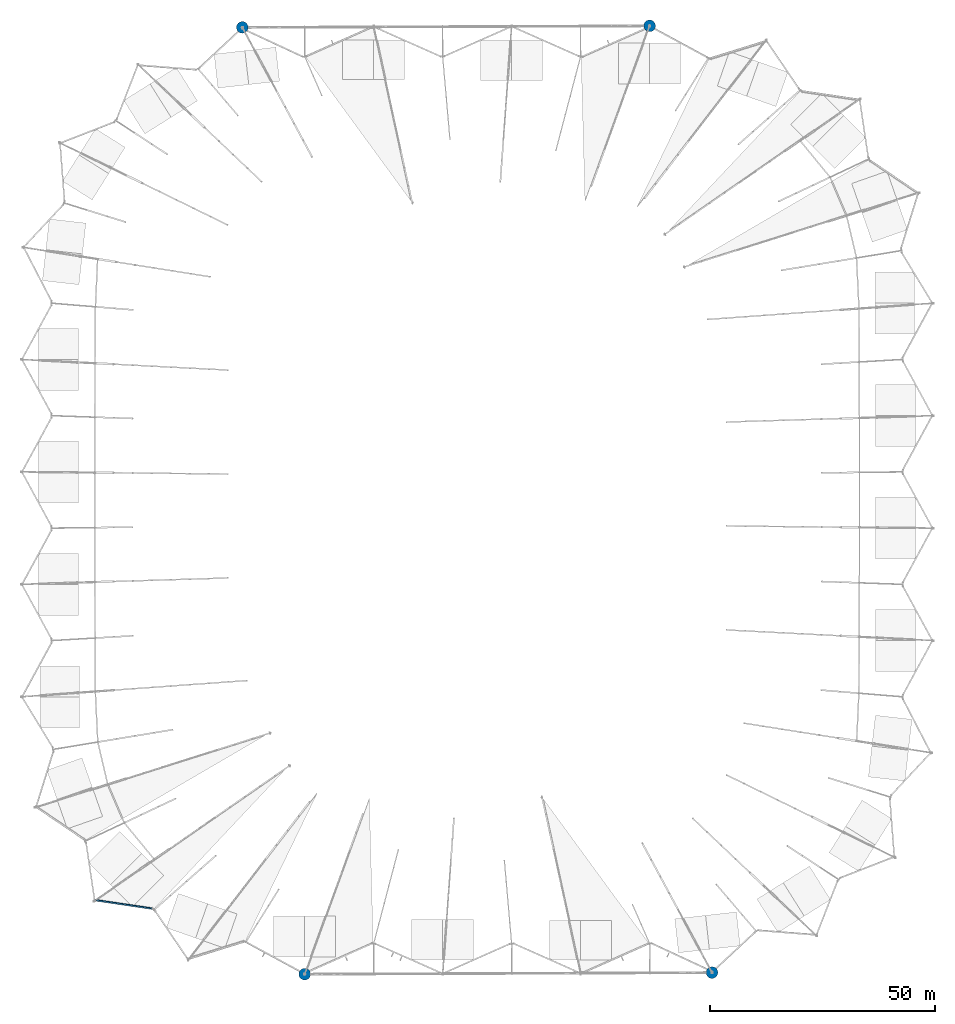
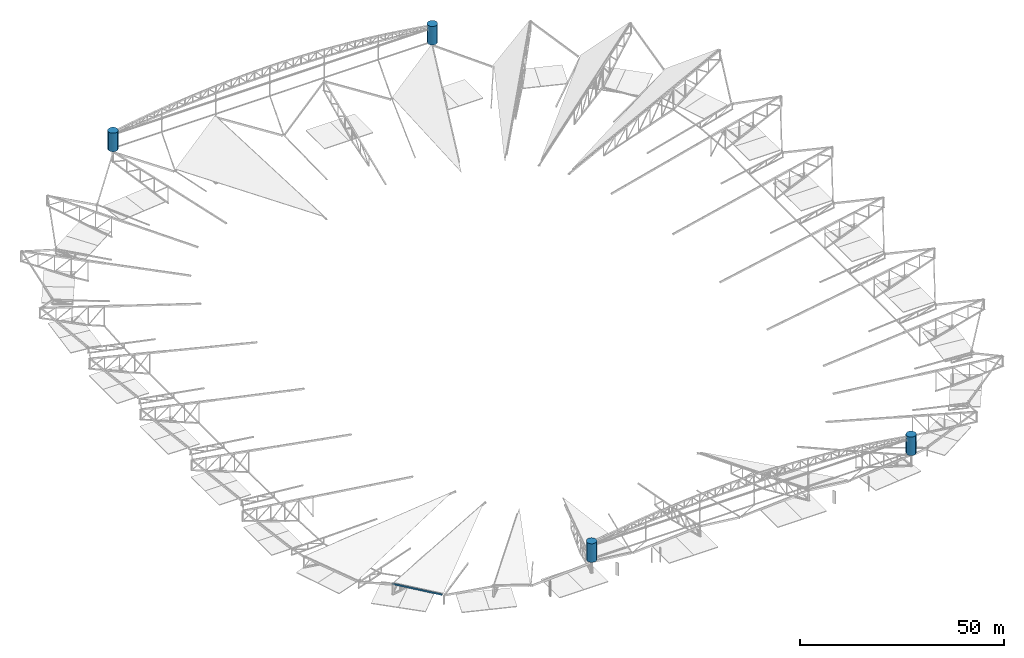
# One storey, part 1 of 188: 4 columns, 1 beam.
"""IFC4 building model written with IfcOpenShell, lengths in metres."""

from ifc_helpers import new_model, si_unit, direction, frame, origin, origin_2d, place, context, subcontext, project, spatial, hollow_rectangle, circle, extrude, material, material_profile, profile_set, type_object, element, save


model = new_model("IFC4")

# Units and contexts
model_context = context("Model", 3, precision=1e-05, world=origin(), true_north=direction((0.0, 1.0)))
body_context = subcontext(model_context, "Body", "Model", "MODEL_VIEW")
ifc_project = project(units=[si_unit("LENGTHUNIT", "METRE"), si_unit("AREAUNIT", "SQUARE_METRE"), si_unit("VOLUMEUNIT", "CUBIC_METRE"), si_unit("PLANEANGLEUNIT", "RADIAN"), si_unit("MASSUNIT", "GRAM", prefix="KILO")], contexts=[model_context])

# Site, building, storey
site_placement = place(None, origin())
site = spatial("IfcSite", under=ifc_project, at=site_placement, CompositionType="ELEMENT")
building_placement = place(site_placement, origin())
building = spatial("IfcBuilding", under=site, at=building_placement, Name="Meseta Stadium", CompositionType="ELEMENT")
storey_placement = place(building_placement, frame((0.0, 0.0, 30.0)))
storey = spatial("IfcBuildingStorey", under=building, at=storey_placement, Name="ROOF", CompositionType="ELEMENT", Elevation=30.0)

# Columns
ifc_material_1 = material(Name="Concrete C40/50", Category="concrete")
ifc_material_profile_1 = material_profile(ifc_material_1, circle(Radius=1.300048828125, at=origin_2d()), Name="RC D2600")
ifc_profile_set_1 = profile_set([ifc_material_profile_1], Name="Concrete C40/50")
column_type = type_object("IfcColumnType", Name="RC arch pier D2600", PredefinedType="COLUMN", material=ifc_profile_set_1)
for number, where, z_axis, x_axis, name in (
    (1, (38.333251953125, 105.39990234375, 11.300048828125), (0.0, 0.0, 1.0), (1.0, 0.0, 0.0), "GABLE ARCH GA-N bearing pier 16"),
    (2, (-52.202880859375, 105.0517578125, 11.300048828125), (0.0, 0.0, 1.0), (1.0, 0.0, 0.0), "GABLE ARCH GA-N bearing pier 22"),
    (3, (-38.333251953125, -105.39990234375, 11.300048828125), (0.0, 0.0, 1.0), (1.0, 0.0, 0.0), "GABLE ARCH GA-S bearing pier 44"),
    (4, (52.202880859375, -105.0517578125, 11.300048828125), (0.0, 0.0, 1.0), (1.0, 0.0, 0.0), "GABLE ARCH GA-S bearing pier 50"),
):
    element("IfcColumn", number, at=place(storey_placement, frame(where, z_axis=z_axis, x_axis=x_axis)), inside=storey, type_object=column_type, Name=name, PredefinedType="COLUMN", context=body_context, shape_type="SweptSolid", body=[
        extrude(circle(Radius=1.300048828125, at=origin_2d()), origin(), (0.0, 0.0, 1.0), 5.550048828125),
    ])

# Beam
ifc_material_2 = material(Name="Steel S355", Category="steel")
ifc_material_profile_2 = material_profile(ifc_material_2, hollow_rectangle(XDim=0.300048828125, YDim=0.5, WallThickness=0.01611328125, at=origin_2d()), Name="RHS 500x300x16")
ifc_profile_set_2 = profile_set([ifc_material_profile_2], Name="Steel S355")
beam_type = type_object("IfcBeamType", Name="RHS 500x300x16 rim ring beam", PredefinedType="BEAM", material=ifc_profile_set_2)
beam_placement = place(storey_placement, frame((-85.150390625, -88.892578125, 10.453857421875), z_axis=(0.882924273132, -0.131080910292, -0.450846451545), x_axis=(0.252778835473, 0.941903098979, 0.221181853845)))
element("IfcBeam", 5, at=beam_placement, inside=storey, type_object=beam_type, Name="RIM RING BEAM 41", PredefinedType="BEAM", context=body_context, shape_type="SweptSolid", body=[
    extrude(hollow_rectangle(XDim=0.300048828125, YDim=0.5, WallThickness=0.01611328125, at=origin_2d()), origin(), (0.0, 0.0, 1.0), 14.6728515625),
])

save(model, "model.ifc")
